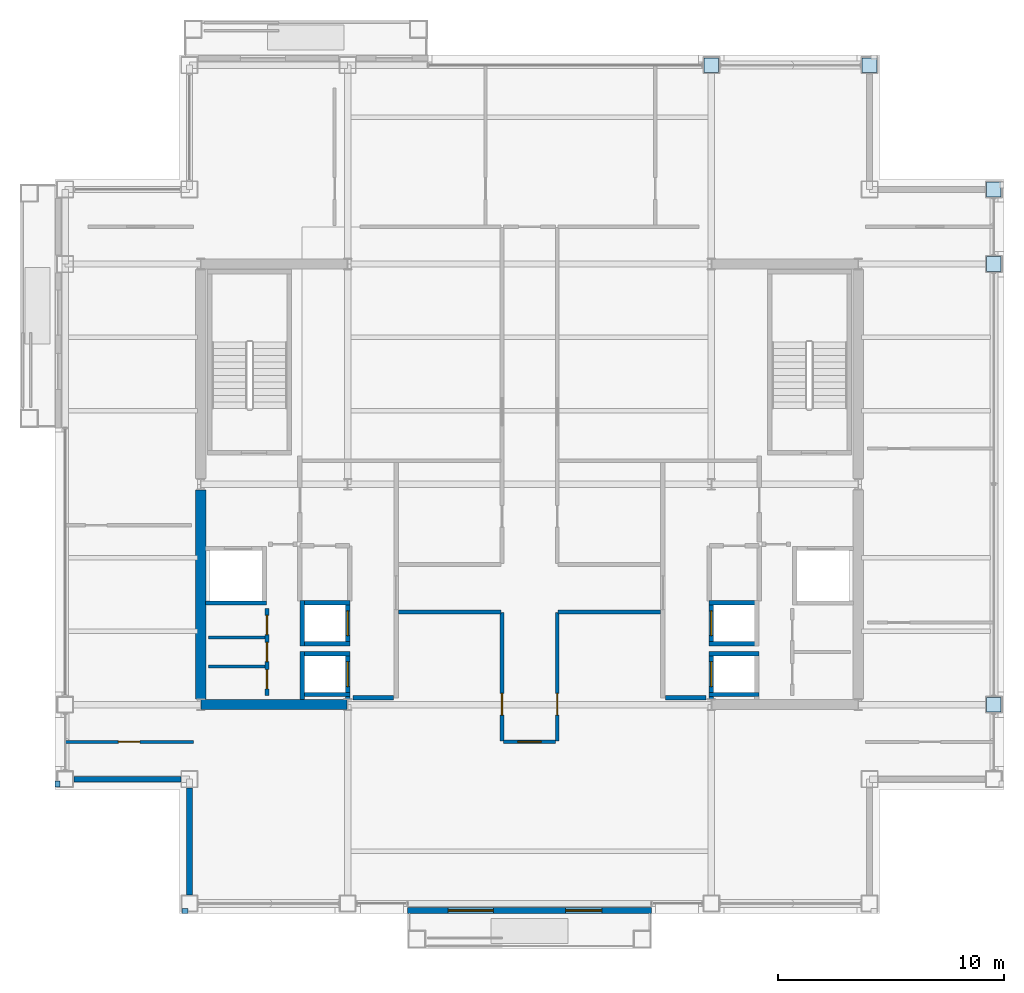
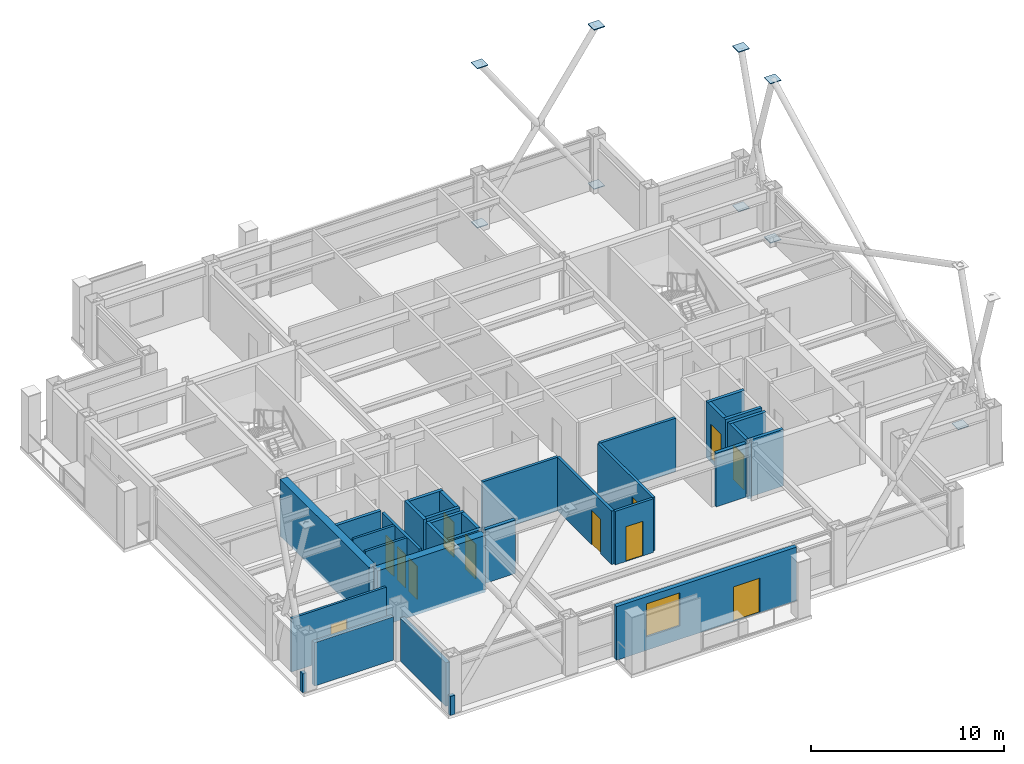
# One storey, part 25 of 30: 33 walls, 12 doors, 9 plates, 1 window, 13 openings.
"""IFC4 building model written with IfcOpenShell, lengths in metres."""

from ifc_helpers import new_model, si_unit, direction, frame, frame_2d, origin, origin_2d, place, context, subcontext, project, spatial, rectangle, extrude, material, layer, layer_set, type_object, element, fill, save


model = new_model("IFC4")

# Units and contexts
model_context = context("Model", 3, precision=1e-05, world=origin(), true_north=direction((0.0, 1.0)))
body_context = subcontext(model_context, "Body", "Model", "MODEL_VIEW")
ifc_project = project(units=[si_unit("LENGTHUNIT", "METRE"), si_unit("AREAUNIT", "SQUARE_METRE"), si_unit("VOLUMEUNIT", "CUBIC_METRE"), si_unit("PLANEANGLEUNIT", "RADIAN"), si_unit("MASSUNIT", "GRAM", prefix="KILO")], contexts=[model_context])

# Site, building, storey
site_placement = place(None, origin())
site = spatial("IfcSite", under=ifc_project, at=site_placement, CompositionType="ELEMENT")
building_placement = place(site_placement, origin())
building = spatial("IfcBuilding", under=site, at=building_placement, Name="Brelmoor Portico Tower", CompositionType="ELEMENT")
storey_placement = place(building_placement, frame((0.0, 0.0, 173.10009765625)))
storey = spatial("IfcBuildingStorey", under=building, at=storey_placement, Name="L45", CompositionType="ELEMENT", Elevation=173.10009765625)

# Plates
ifc_material_1 = material(Name="Steel Q355B", Category="steel")
ifc_layer_1 = layer(ifc_material_1, 0.044921875)
ifc_layer_set_1 = layer_set([ifc_layer_1], Name="Steel Q355B")
plate_type = type_object("IfcPlateType", Name="PT-CAP-650", PredefinedType="SHEET", material=ifc_layer_set_1)
for number, where, z_axis, x_axis, name in (
    (1, (8.050048828125, 18.550048828125, 0.2275390625), (0.0, 0.0, 1.0), (1.0, 0.0, 0.0), "L45 Continuous Mega-X Brace 100A Joint Cap Plate 1"),
    (2, (15.050048828125, 18.550048828125, 10.327392578125), (0.0, 0.0, 1.0), (1.0, 0.0, 0.0), "L45 Continuous Mega-X Brace 100A Joint Cap Plate 2"),
    (3, (15.050048828125, 18.550048828125, 0.2275390625), (0.0, 0.0, 1.0), (1.0, 0.0, 0.0), "L45 Split Mega-X Brace 100B1 Joint Cap Plate 1"),
    (4, (8.050048828125, 18.550048828125, 10.327392578125), (0.0, 0.0, 1.0), (1.0, 0.0, 0.0), "L45 Split Mega-X Brace 100B2 Joint Cap Plate 2"),
    (5, (20.550048828125, -9.75, 0.2275390625), (0.0, 0.0, 1.0), (1.0, 0.0, 0.0), "L45 Split Mega-X Brace 102B1 Joint Cap Plate 1"),
    (6, (20.550048828125, 9.75, 10.327392578125), (0.0, 0.0, 1.0), (1.0, 0.0, 0.0), "L45 Continuous Mega-X Brace 103A Joint Cap Plate 2"),
    (7, (20.550048828125, 9.75, 0.2275390625), (0.0, 0.0, 1.0), (1.0, 0.0, 0.0), "L45 Split Mega-X Brace 103B1 Joint Cap Plate 1"),
    (8, (20.550048828125, 13.050048828125, 10.327392578125), (0.0, 0.0, 1.0), (1.0, 0.0, 0.0), "L45 Continuous Mega-X Brace 104A Joint Cap Plate 2"),
    (9, (20.550048828125, 13.050048828125, 0.2275390625), (0.0, 0.0, 1.0), (1.0, 0.0, 0.0), "L45 Split Mega-X Brace 104B1 Joint Cap Plate 1"),
):
    element("IfcPlate", number, at=place(storey_placement, frame(where, z_axis=z_axis, x_axis=x_axis)), inside=storey, type_object=plate_type, Name=name, PredefinedType="SHEET", context=body_context, shape_type="SweptSolid", body=[
        extrude(rectangle(XDim=0.64990234375, YDim=0.64990234375, at=origin_2d()), origin(), (0.0, 0.0, 1.0), 0.044921875),
    ])

# Walls
ifc_material_2 = material(Name="Concrete C50", Category="concrete")
ifc_layer_2 = layer(ifc_material_2, 0.449951171875)
ifc_layer_set_2 = layer_set([ifc_layer_2], Name="Concrete C50")
wall_type_1 = type_object("IfcWallType", Name="WL-CORE-450", PredefinedType="SHEAR", material=ifc_layer_set_2)
wall_1_placement = place(storey_placement, frame((-14.530029296875, -9.75, -0.2001953125), z_axis=(0.0, 0.0, 1.0), x_axis=(1.0, 0.0, 0.0)))
element("IfcWall", 10, at=wall_1_placement, inside=storey, type_object=wall_type_1, Name="L45 WC South Shear Wall", PredefinedType="SHEAR", context=body_context, shape_type="SweptSolid", body=[
    extrude(rectangle(XDim=6.4599609375, YDim=0.449951171875, at=frame_2d((3.22998046875, 0.0))), origin(), (0.0, 0.0, 1.0), 3.60009765625),
])
wall_2_placement = place(storey_placement, frame((-14.550048828125, -9.5, -0.2001953125), z_axis=(0.0, 0.0, 1.0), x_axis=(0.0, 1.0, 0.0)))
element("IfcWall", 11, at=wall_2_placement, inside=storey, type_object=wall_type_1, Name="L45 WC Outer South Shear Wall", PredefinedType="SHEAR", context=body_context, shape_type="SweptSolid", body=[
    extrude(rectangle(XDim=9.25, YDim=0.449951171875, at=frame_2d((4.625, 0.0))), origin(), (0.0, 0.0, 1.0), 3.60009765625),
])

# Wall, openings, door, window
ifc_material_3 = material(Name="Precast Concrete C40 Insulated Facade Wall", Category="concrete")
ifc_layer_3 = layer(ifc_material_3, 0.25)
ifc_layer_set_3 = layer_set([ifc_layer_3], Name="Precast Concrete C40 Insulated Facade Wall")
wall_type_2 = type_object("IfcWallType", Name="WL-EXT-250", PredefinedType="STANDARD", material=ifc_layer_set_3)
wall_3_placement = place(storey_placement, frame((-5.39990234375, -18.860107421875, 0.0), z_axis=(0.0, 0.0, 1.0), x_axis=(1.0, 0.0, 0.0)))
wall_3 = element("IfcWall", 12, at=wall_3_placement, inside=storey, type_object=wall_type_2, Name="L45 Loggia Threshold Wall S-1", PredefinedType="STANDARD", context=body_context, shape_type="SweptSolid", body=[
    extrude(rectangle(XDim=10.7998046875, YDim=0.25, at=frame_2d((5.39990234375, 0.0))), origin(), (0.0, 0.0, 1.0), 3.39990234375),
])
opening_1_placement = place(wall_3_placement, frame((7.0, 0.0, 0.0)))
opening_1 = element("IfcOpeningElement", 13, at=opening_1_placement, cuts=wall_3, Name="Opening D-TB1", PredefinedType="OPENING", context=body_context, shape_type="SweptSolid", body=[
    extrude(rectangle(XDim=1.60009765625, YDim=2.199951171875, at=frame_2d((0.800048828125, 1.10009765625))), frame((0.0, 0.135009765625, 0.0), z_axis=(0.0, -1.0, 0.0), x_axis=(1.0, 0.0, 0.0)), (0.0, 0.0, 1.0), 0.27001953125),
])
opening_2_placement = place(wall_3_placement, frame((1.800048828125, 0.0, 0.85009765625)))
opening_2 = element("IfcOpeningElement", 14, at=opening_2_placement, cuts=wall_3, Name="Opening W-03", PredefinedType="OPENING", context=body_context, shape_type="SweptSolid", body=[
    extrude(rectangle(XDim=2.0, YDim=2.10009765625, at=frame_2d((1.0, 1.050048828125))), frame((0.0, 0.135009765625, 0.0), z_axis=(0.0, -1.0, 0.0), x_axis=(1.0, 0.0, 0.0)), (0.0, 0.0, 1.0), 0.27001953125),
])
ifc_material_4 = material(Name="Double-Leaf Thermally Broken Terrace Door", Category="aluminium")
door_type_1 = type_object("IfcDoorType", Name="DR-BALCONY-1600", OperationType="NOTDEFINED", PredefinedType="DOOR", material=ifc_material_4)
door_1_placement = place(opening_1_placement, origin())
door_1 = element("IfcDoor", 15, at=door_1_placement, inside=storey, type_object=door_type_1, Name="D-1935 L45 Tree Balcony Double Door S", OperationType="DOUBLE_DOOR_SINGLE_SWING", OverallHeight=2.199951171875, OverallWidth=1.60009765625, PredefinedType="DOOR", context=body_context, shape_type="SweptSolid", body=[
    extrude(rectangle(XDim=1.60009765625, YDim=2.199951171875, at=frame_2d((0.800048828125, 1.10009765625))), frame((0.0, 0.02490234375, 0.0), z_axis=(0.0, -1.0, 0.0), x_axis=(1.0, 0.0, 0.0)), (0.0, 0.0, 1.0), 0.050048828125),
])
fill(opening_1, door_1)
ifc_material_5 = material(Name="Thermally Broken Aluminium Low-E Window", Category="aluminium")
window_type = type_object("IfcWindowType", Name="WN-LOGGIA-2000x2100", PartitioningType="SINGLE_PANEL", PredefinedType="WINDOW", material=ifc_material_5)
window_placement = place(opening_2_placement, origin())
window = element("IfcWindow", 16, at=window_placement, inside=storey, type_object=window_type, Name="L45 Loggia Window S", OverallHeight=2.10009765625, OverallWidth=2.0, PartitioningType="SINGLE_PANEL", PredefinedType="WINDOW", context=body_context, shape_type="SweptSolid", body=[
    extrude(rectangle(XDim=2.0, YDim=2.10009765625, at=frame_2d((1.0, 1.050048828125))), frame((0.0, 0.030029296875, 0.0), z_axis=(0.0, -1.0, 0.0), x_axis=(1.0, 0.0, 0.0)), (0.0, 0.0, 1.0), 0.06005859375),
])
fill(opening_2, window)

# Walls
for number, where, z_axis, x_axis, name in (
    (17, (-20.1650390625, -13.050048828125, 0.0), (0.0, 0.0, 1.0), (1.0, 0.0, 0.0), "L45 Corner Notch Facade Wall NSWH1"),
    (18, (-15.050048828125, -18.1650390625, 0.0), (0.0, 0.0, 1.0), (0.0, 1.0, 0.0), "L45 Corner Notch Facade Wall NSWV1"),
):
    element("IfcWall", number, at=place(storey_placement, frame(where, z_axis=z_axis, x_axis=x_axis)), inside=storey, type_object=wall_type_2, Name=name, PredefinedType="STANDARD", context=body_context, shape_type="SweptSolid", body=[
        extrude(rectangle(XDim=4.72998046875, YDim=0.25, at=frame_2d((2.364990234375, 0.0))), origin(), (0.0, 0.0, 1.0), 2.75),
    ])
ifc_material_6 = material(Name="Concrete C40 Parapet Upstand", Category="concrete")
ifc_layer_4 = layer(ifc_material_6, 0.219970703125)
ifc_layer_set_4 = layer_set([ifc_layer_4], Name="Concrete C40 Parapet Upstand")
wall_type_3 = type_object("IfcWallType", Name="WL-PARAPET-220", PredefinedType="PARAPET", material=ifc_layer_set_4)
for number, where, z_axis, x_axis, name in (
    (19, (-15.389892578125, -18.889892578125, 0.0), (0.0, 0.0, 1.0), (1.0, 0.0, 0.0), "L45 Chamfer Vertex Parapet Pier SW1"),
    (20, (-20.889892578125, -13.389892578125, 0.0), (0.0, 0.0, 1.0), (0.0, 1.0, 0.0), "L45 Chamfer Vertex Parapet Pier SW2"),
):
    element("IfcWall", number, at=place(storey_placement, frame(where, z_axis=z_axis, x_axis=x_axis)), inside=storey, type_object=wall_type_3, Name=name, PredefinedType="PARAPET", context=body_context, shape_type="SweptSolid", body=[
        extrude(rectangle(XDim=0.269775390625, YDim=0.219970703125, at=frame_2d((0.134765625, 0.0))), origin(), (0.0, 0.0, 1.0), 1.199951171875),
    ])
ifc_material_7 = material(Name="Insulated Stud Suite Partition", Category="gypsum")
ifc_layer_5 = layer(ifc_material_7, 0.139892578125)
ifc_layer_set_5 = layer_set([ifc_layer_5], Name="Insulated Stud Suite Partition")
wall_type_4 = type_object("IfcWallType", Name="WL-PART-140", PredefinedType="PARTITIONING", material=ifc_layer_set_5)
for number, where, z_axis, x_axis, name in (
    (21, (-11.699951171875, -8.066650390625, 0.0), (0.0, 0.0, 1.0), (-1.0, 0.0, 0.0), "L45 W Core WC Divider 1"),
    (22, (-11.699951171875, -6.783203125, 0.0), (0.0, 0.0, 1.0), (-1.0, 0.0, 0.0), "L45 W Core WC Divider 2"),
):
    element("IfcWall", number, at=place(storey_placement, frame(where, z_axis=z_axis, x_axis=x_axis)), inside=storey, type_object=wall_type_4, Name=name, PredefinedType="PARTITIONING", context=body_context, shape_type="SweptSolid", body=[
        extrude(rectangle(XDim=2.5, YDim=0.139892578125, at=frame_2d((1.25, 0.0))), origin(), (0.0, 0.0, 1.0), 3.39990234375),
    ])

# Wall, opening, door
wall_4_placement = place(storey_placement, frame((-20.56005859375, -11.39990234375, 0.0), z_axis=(0.0, 0.0, 1.0), x_axis=(1.0, 0.0, 0.0)))
wall_4 = element("IfcWall", 23, at=wall_4_placement, inside=storey, type_object=wall_type_4, Name="L45 South Wing Closure WL", PredefinedType="PARTITIONING", context=body_context, shape_type="SweptSolid", body=[
    extrude(rectangle(XDim=5.68017578125, YDim=0.139892578125, at=frame_2d((2.840087890625, 0.0))), origin(), (0.0, 0.0, 1.0), 3.39990234375),
])
opening_3_placement = place(wall_4_placement, frame((2.360107421875, 0.0, 0.0)))
opening_3 = element("IfcOpeningElement", 24, at=opening_3_placement, cuts=wall_4, Name="Opening D-IN2", PredefinedType="OPENING", context=body_context, shape_type="SweptSolid", body=[
    extrude(rectangle(XDim=0.9599609375, YDim=2.179931640625, at=frame_2d((0.47998046875, 1.08984375))), frame((0.0, 0.079833984375, 0.0), z_axis=(0.0, -1.0, 0.0), x_axis=(1.0, 0.0, 0.0)), (0.0, 0.0, 1.0), 0.159912109375),
])
ifc_material_8 = material(Name="Lacquered Timber Suite Door", Category="wood")
door_type_2 = type_object("IfcDoorType", Name="DR-INT-950", OperationType="NOTDEFINED", PredefinedType="DOOR", material=ifc_material_8)
door_2_placement = place(opening_3_placement, origin())
door_2 = element("IfcDoor", 25, at=door_2_placement, inside=storey, type_object=door_type_2, Name="D-1933 L45 WL Wing South Suite Door", OperationType="SINGLE_SWING_LEFT", OverallHeight=2.179931640625, OverallWidth=0.9599609375, PredefinedType="DOOR", context=body_context, shape_type="SweptSolid", body=[
    extrude(rectangle(XDim=0.9599609375, YDim=2.179931640625, at=frame_2d((0.47998046875, 1.08984375))), frame((0.0, 0.02490234375, 0.0), z_axis=(0.0, -1.0, 0.0), x_axis=(1.0, 0.0, 0.0)), (0.0, 0.0, 1.0), 0.050048828125),
])
fill(opening_3, door_2)

# Wall, openings, doors
ifc_material_9 = material(Name="Twin-Frame Acoustic Partition", Category="gypsum")
ifc_layer_6 = layer(ifc_material_9, 0.159912109375)
ifc_layer_set_6 = layer_set([ifc_layer_6], Name="Twin-Frame Acoustic Partition")
wall_type_5 = type_object("IfcWallType", Name="WL-PART-160", PredefinedType="PARTITIONING", material=ifc_layer_set_6)
wall_5_placement = place(storey_placement, frame((-11.6201171875, -9.35009765625, 0.0), z_axis=(0.0, 0.0, 1.0), x_axis=(0.0, 1.0, 0.0)))
wall_5 = element("IfcWall", 26, at=wall_5_placement, inside=storey, type_object=wall_type_5, Name="L45 W Core Service Front Wall", PredefinedType="PARTITIONING", context=body_context, shape_type="SweptSolid", body=[
    extrude(rectangle(XDim=3.85009765625, YDim=0.159912109375, at=frame_2d((1.925048828125, 0.0))), origin(), (0.0, 0.0, 1.0), 3.39990234375),
])
opening_4_placement = place(wall_5_placement, frame((0.300048828125, 0.0, 0.0)))
opening_4 = element("IfcOpeningElement", 27, at=opening_4_placement, cuts=wall_5, Name="Opening D-WC1", PredefinedType="OPENING", context=body_context, shape_type="SweptSolid", body=[
    extrude(rectangle(XDim=0.85009765625, YDim=2.1201171875, at=frame_2d((0.425048828125, 1.06005859375))), frame((0.0, 0.08984375, 0.0), z_axis=(0.0, -1.0, 0.0), x_axis=(1.0, 0.0, 0.0)), (0.0, 0.0, 1.0), 0.179931640625),
])
opening_5_placement = place(wall_5_placement, frame((1.5, 0.0, 0.0)))
opening_5 = element("IfcOpeningElement", 28, at=opening_5_placement, cuts=wall_5, Name="Opening D-WC1", PredefinedType="OPENING", context=body_context, shape_type="SweptSolid", body=[
    extrude(rectangle(XDim=0.85009765625, YDim=2.1201171875, at=frame_2d((0.425048828125, 1.06005859375))), frame((0.0, 0.08984375, 0.0), z_axis=(0.0, -1.0, 0.0), x_axis=(1.0, 0.0, 0.0)), (0.0, 0.0, 1.0), 0.179931640625),
])
opening_6_placement = place(wall_5_placement, frame((2.699951171875, 0.0, 0.0)))
opening_6 = element("IfcOpeningElement", 29, at=opening_6_placement, cuts=wall_5, Name="Opening D-WC1", PredefinedType="OPENING", context=body_context, shape_type="SweptSolid", body=[
    extrude(rectangle(XDim=0.85009765625, YDim=2.1201171875, at=frame_2d((0.425048828125, 1.06005859375))), frame((0.0, 0.08984375, 0.0), z_axis=(0.0, -1.0, 0.0), x_axis=(1.0, 0.0, 0.0)), (0.0, 0.0, 1.0), 0.179931640625),
])
ifc_material_10 = material(Name="Moisture-Resistant Laminate WC Door", Category="timber")
door_type_3 = type_object("IfcDoorType", Name="DR-WC-850", OperationType="NOTDEFINED", PredefinedType="DOOR", material=ifc_material_10)
door_3_placement = place(opening_4_placement, origin())
door_3 = element("IfcDoor", 30, at=door_3_placement, inside=storey, type_object=door_type_3, Name="D-1914 L45 W Accessible WC Door", OperationType="SINGLE_SWING_RIGHT", OverallHeight=2.1201171875, OverallWidth=0.85009765625, PredefinedType="DOOR", context=body_context, shape_type="SweptSolid", body=[
    extrude(rectangle(XDim=0.85009765625, YDim=2.1201171875, at=frame_2d((0.425048828125, 1.06005859375))), frame((0.0, 0.02490234375, 0.0), z_axis=(0.0, -1.0, 0.0), x_axis=(1.0, 0.0, 0.0)), (0.0, 0.0, 1.0), 0.050048828125),
])
fill(opening_4, door_3)
door_4_placement = place(opening_5_placement, origin())
door_4 = element("IfcDoor", 31, at=door_4_placement, inside=storey, type_object=door_type_3, Name="D-1915 L45 W Staff WC Door", OperationType="SINGLE_SWING_LEFT", OverallHeight=2.1201171875, OverallWidth=0.85009765625, PredefinedType="DOOR", context=body_context, shape_type="SweptSolid", body=[
    extrude(rectangle(XDim=0.85009765625, YDim=2.1201171875, at=frame_2d((0.425048828125, 1.06005859375))), frame((0.0, 0.02490234375, 0.0), z_axis=(0.0, -1.0, 0.0), x_axis=(1.0, 0.0, 0.0)), (0.0, 0.0, 1.0), 0.050048828125),
])
fill(opening_5, door_4)
door_5_placement = place(opening_6_placement, origin())
door_5 = element("IfcDoor", 32, at=door_5_placement, inside=storey, type_object=door_type_3, Name="D-1916 L45 W Cleaner Store Door", OperationType="SINGLE_SWING_RIGHT", OverallHeight=2.1201171875, OverallWidth=0.85009765625, PredefinedType="DOOR", context=body_context, shape_type="SweptSolid", body=[
    extrude(rectangle(XDim=0.85009765625, YDim=2.1201171875, at=frame_2d((0.425048828125, 1.06005859375))), frame((0.0, 0.02490234375, 0.0), z_axis=(0.0, -1.0, 0.0), x_axis=(1.0, 0.0, 0.0)), (0.0, 0.0, 1.0), 0.050048828125),
])
fill(opening_6, door_5)

# Wall, opening, door
wall_6_placement = place(storey_placement, frame((-1.219970703125, -11.360107421875, 0.0), z_axis=(0.0, 0.0, 1.0), x_axis=(0.0, 1.0, 0.0)))
wall_6 = element("IfcWall", 33, at=wall_6_placement, inside=storey, type_object=wall_type_5, Name="L45 South Cross West Wall", PredefinedType="PARTITIONING", context=body_context, shape_type="SweptSolid", body=[
    extrude(rectangle(XDim=5.68017578125, YDim=0.159912109375, at=frame_2d((2.840087890625, 0.0))), origin(), (0.0, 0.0, 1.0), 3.39990234375),
])
opening_7_placement = place(wall_6_placement, frame((1.14990234375, 0.0, 0.0)))
opening_7 = element("IfcOpeningElement", 34, at=opening_7_placement, cuts=wall_6, Name="Opening D-IN2", PredefinedType="OPENING", context=body_context, shape_type="SweptSolid", body=[
    extrude(rectangle(XDim=0.9599609375, YDim=2.179931640625, at=frame_2d((0.47998046875, 1.08984375))), frame((0.0, 0.08984375, 0.0), z_axis=(0.0, -1.0, 0.0), x_axis=(1.0, 0.0, 0.0)), (0.0, 0.0, 1.0), 0.179931640625),
])
door_6_placement = place(opening_7_placement, origin())
door_6 = element("IfcDoor", 35, at=door_6_placement, inside=storey, type_object=door_type_2, Name="D-1907 L45 South-West Archive Room Door", OperationType="SINGLE_SWING_RIGHT", OverallHeight=2.179931640625, OverallWidth=0.9599609375, PredefinedType="DOOR", context=body_context, shape_type="SweptSolid", body=[
    extrude(rectangle(XDim=0.9599609375, YDim=2.179931640625, at=frame_2d((0.47998046875, 1.08984375))), frame((0.0, 0.02490234375, 0.0), z_axis=(0.0, -1.0, 0.0), x_axis=(1.0, 0.0, 0.0)), (0.0, 0.0, 1.0), 0.050048828125),
])
fill(opening_7, door_6)

wall_7_placement = place(storey_placement, frame((1.219970703125, -11.360107421875, 0.0), z_axis=(0.0, 0.0, 1.0), x_axis=(0.0, 1.0, 0.0)))
wall_7 = element("IfcWall", 36, at=wall_7_placement, inside=storey, type_object=wall_type_5, Name="L45 South Cross East Wall", PredefinedType="PARTITIONING", context=body_context, shape_type="SweptSolid", body=[
    extrude(rectangle(XDim=5.68017578125, YDim=0.159912109375, at=frame_2d((2.840087890625, 0.0))), origin(), (0.0, 0.0, 1.0), 3.39990234375),
])
opening_8_placement = place(wall_7_placement, frame((1.14990234375, 0.0, 0.0)))
opening_8 = element("IfcOpeningElement", 37, at=opening_8_placement, cuts=wall_7, Name="Opening D-IN2", PredefinedType="OPENING", context=body_context, shape_type="SweptSolid", body=[
    extrude(rectangle(XDim=0.9599609375, YDim=2.179931640625, at=frame_2d((0.47998046875, 1.08984375))), frame((0.0, 0.08984375, 0.0), z_axis=(0.0, -1.0, 0.0), x_axis=(1.0, 0.0, 0.0)), (0.0, 0.0, 1.0), 0.179931640625),
])
door_7_placement = place(opening_8_placement, origin())
door_7 = element("IfcDoor", 38, at=door_7_placement, inside=storey, type_object=door_type_2, Name="D-1906 L45 South-East Partner Office Door", OperationType="SINGLE_SWING_LEFT", OverallHeight=2.179931640625, OverallWidth=0.9599609375, PredefinedType="DOOR", context=body_context, shape_type="SweptSolid", body=[
    extrude(rectangle(XDim=0.9599609375, YDim=2.179931640625, at=frame_2d((0.47998046875, 1.08984375))), frame((0.0, 0.02490234375, 0.0), z_axis=(0.0, -1.0, 0.0), x_axis=(1.0, 0.0, 0.0)), (0.0, 0.0, 1.0), 0.050048828125),
])
fill(opening_8, door_7)

# Walls
for number, where, z_axis, x_axis, name in (
    (39, (-5.800048828125, -5.64990234375, 0.0), (0.0, 0.0, 1.0), (1.0, 0.0, 0.0), "L45 South-West Chamber Top Wall"),
    (40, (1.260009765625, -5.64990234375, 0.0), (0.0, 0.0, 1.0), (1.0, 0.0, 0.0), "L45 South-East Chamber Top Wall"),
):
    element("IfcWall", number, at=place(storey_placement, frame(where, z_axis=z_axis, x_axis=x_axis)), inside=storey, type_object=wall_type_5, Name=name, PredefinedType="PARTITIONING", context=body_context, shape_type="SweptSolid", body=[
        extrude(rectangle(XDim=4.5400390625, YDim=0.159912109375, at=frame_2d((2.27001953125, 0.0))), origin(), (0.0, 0.0, 1.0), 3.39990234375),
    ])

# Wall, opening, door
wall_8_placement = place(storey_placement, frame((-1.14990234375, -11.39990234375, 0.0), z_axis=(0.0, 0.0, 1.0), x_axis=(1.0, 0.0, 0.0)))
wall_8 = element("IfcWall", 41, at=wall_8_placement, inside=storey, type_object=wall_type_5, Name="L45 South Corridor Partition", PredefinedType="PARTITIONING", context=body_context, shape_type="SweptSolid", body=[
    extrude(rectangle(XDim=2.2998046875, YDim=0.159912109375, at=frame_2d((1.14990234375, 0.0))), origin(), (0.0, 0.0, 1.0), 3.39990234375),
])
opening_9_placement = place(wall_8_placement, frame((0.639892578125, 0.0, 0.0)))
opening_9 = element("IfcOpeningElement", 42, at=opening_9_placement, cuts=wall_8, Name="Opening D-OF1", PredefinedType="OPENING", context=body_context, shape_type="SweptSolid", body=[
    extrude(rectangle(XDim=1.02001953125, YDim=2.199951171875, at=frame_2d((0.510009765625, 1.10009765625))), frame((0.0, 0.08984375, 0.0), z_axis=(0.0, -1.0, 0.0), x_axis=(1.0, 0.0, 0.0)), (0.0, 0.0, 1.0), 0.179931640625),
])
ifc_material_11 = material(Name="Hardwood Acoustic Veneer Door", Category="wood")
door_type_4 = type_object("IfcDoorType", Name="DR-OFFICE-1000", OperationType="NOTDEFINED", PredefinedType="DOOR", material=ifc_material_11)
door_8_placement = place(opening_9_placement, origin())
door_8 = element("IfcDoor", 43, at=door_8_placement, inside=storey, type_object=door_type_4, Name="D-1929 L45 South Design Workshop 1 Door", OperationType="SINGLE_SWING_RIGHT", OverallHeight=2.199951171875, OverallWidth=1.02001953125, PredefinedType="DOOR", context=body_context, shape_type="SweptSolid", body=[
    extrude(rectangle(XDim=1.02001953125, YDim=2.199951171875, at=frame_2d((0.510009765625, 1.10009765625))), frame((0.0, 0.02490234375, 0.0), z_axis=(0.0, -1.0, 0.0), x_axis=(1.0, 0.0, 0.0)), (0.0, 0.0, 1.0), 0.050048828125),
])
fill(opening_9, door_8)

# Walls
ifc_material_12 = material(Name="Double-Stud Gypsum Fire Partition", Category="gypsum")
ifc_layer_7 = layer(ifc_material_12, 0.199951171875)
ifc_layer_set_7 = layer_set([ifc_layer_7], Name="Double-Stud Gypsum Fire Partition")
wall_type_6 = type_object("IfcWallType", Name="WL-PART-200", PredefinedType="PARTITIONING", material=ifc_layer_set_7)
for number, where, z_axis, x_axis, name in (
    (44, (-6.02001953125, -9.449951171875, 0.0), (0.0, 0.0, 1.0), (-1.0, 0.0, 0.0), "L45 W Lift Lobby South End Wall"),
    (45, (6.02001953125, -9.449951171875, 0.0), (0.0, 0.0, 1.0), (1.0, 0.0, 0.0), "L45 E Lift Lobby South End Wall"),
):
    element("IfcWall", number, at=place(storey_placement, frame(where, z_axis=z_axis, x_axis=x_axis)), inside=storey, type_object=wall_type_6, Name=name, PredefinedType="PARTITIONING", context=body_context, shape_type="SweptSolid", body=[
        extrude(rectangle(XDim=1.800048828125, YDim=0.199951171875, at=frame_2d((0.89990234375, 0.0))), origin(), (0.0, 0.0, 1.0), 3.39990234375),
    ])

# Wall, opening, door
ifc_material_13 = material(Name="Precast Concrete C40", Category="concrete")
ifc_layer_8 = layer(ifc_material_13, 0.18994140625)
ifc_layer_set_8 = layer_set([ifc_layer_8], Name="Precast Concrete C40")
wall_type_7 = type_object("IfcWallType", Name="WL-SHAFT-180", PredefinedType="SOLIDWALL", material=ifc_layer_set_8)
wall_9_placement = place(storey_placement, frame((-8.044921875, -9.52001953125, -0.2001953125), z_axis=(0.0, 0.0, 1.0), x_axis=(0.0, 1.0, 0.0)))
wall_9 = element("IfcWall", 46, at=wall_9_placement, inside=storey, type_object=wall_type_7, Name="L45 Lift PH1 Hoistway Front Wall", PredefinedType="SOLIDWALL", context=body_context, shape_type="SweptSolid", body=[
    extrude(rectangle(XDim=2.1201171875, YDim=0.18994140625, at=frame_2d((1.06005859375, 0.0))), origin(), (0.0, 0.0, 1.0), 3.60009765625),
])
opening_10_placement = place(wall_9_placement, frame((0.570068359375, 0.0, 0.199951171875)))
opening_10 = element("IfcOpeningElement", 47, at=opening_10_placement, cuts=wall_9, Name="Opening LD-01", PredefinedType="OPENING", context=body_context, shape_type="SweptSolid", body=[
    extrude(rectangle(XDim=1.10009765625, YDim=2.199951171875, at=frame_2d((0.550048828125, 1.10009765625))), frame((0.0, 0.10498046875, 0.0), z_axis=(0.0, -1.0, 0.0), x_axis=(1.0, 0.0, 0.0)), (0.0, 0.0, 1.0), 0.2099609375),
])
ifc_material_14 = material(Name="Brushed Stainless Steel Sliding Lift Door", Category="steel")
door_type_5 = type_object("IfcDoorType", Name="DR-LIFT-1100", OperationType="NOTDEFINED", PredefinedType="DOOR", material=ifc_material_14)
door_9_placement = place(opening_10_placement, origin())
door_9 = element("IfcDoor", 48, at=door_9_placement, inside=storey, type_object=door_type_5, Name="D-1942 L45 Lift PH1 Sliding Landing Door", OperationType="SLIDING_TO_LEFT", OverallHeight=2.199951171875, OverallWidth=1.10009765625, PredefinedType="DOOR", context=body_context, shape_type="SweptSolid", body=[
    extrude(rectangle(XDim=1.10009765625, YDim=2.199951171875, at=frame_2d((0.550048828125, 1.10009765625))), frame((0.0, 0.02490234375, 0.0), z_axis=(0.0, -1.0, 0.0), x_axis=(1.0, 0.0, 0.0)), (0.0, 0.0, 1.0), 0.050048828125),
])
fill(opening_10, door_9)

# Walls
wall_10_placement = place(storey_placement, frame((-10.054931640625, -9.52001953125, -0.2001953125), z_axis=(0.0, 0.0, 1.0), x_axis=(0.0, 1.0, 0.0)))
element("IfcWall", 49, at=wall_10_placement, inside=storey, type_object=wall_type_7, Name="L45 Lift PH1 Hoistway Back Wall", PredefinedType="SOLIDWALL", context=body_context, shape_type="SweptSolid", body=[
    extrude(rectangle(XDim=2.1201171875, YDim=0.18994140625, at=frame_2d((1.06005859375, 0.0))), origin(), (0.0, 0.0, 1.0), 3.60009765625),
])
for number, where, z_axis, x_axis, name in (
    (50, (-10.14990234375, -7.4951171875, -0.2001953125), (0.0, 0.0, 1.0), (1.0, 0.0, 0.0), "L45 Lift PH1 Hoistway North Wall"),
    (51, (-10.14990234375, -9.304931640625, -0.2001953125), (0.0, 0.0, 1.0), (1.0, 0.0, 0.0), "L45 Lift PH1 Hoistway South Wall"),
):
    element("IfcWall", number, at=place(storey_placement, frame(where, z_axis=z_axis, x_axis=x_axis)), inside=storey, type_object=wall_type_7, Name=name, PredefinedType="SOLIDWALL", context=body_context, shape_type="SweptSolid", body=[
        extrude(rectangle(XDim=2.199951171875, YDim=0.18994140625, at=frame_2d((1.10009765625, 0.0))), origin(), (0.0, 0.0, 1.0), 3.60009765625),
    ])

# Wall, opening, door
wall_11_placement = place(storey_placement, frame((-8.044921875, -7.14990234375, -0.2001953125), z_axis=(0.0, 0.0, 1.0), x_axis=(0.0, 1.0, 0.0)))
wall_11 = element("IfcWall", 52, at=wall_11_placement, inside=storey, type_object=wall_type_7, Name="L45 Lift PH2 Hoistway Front Wall", PredefinedType="SOLIDWALL", context=body_context, shape_type="SweptSolid", body=[
    extrude(rectangle(XDim=2.0, YDim=0.18994140625, at=frame_2d((1.0, 0.0))), origin(), (0.0, 0.0, 1.0), 3.60009765625),
])
opening_11_placement = place(wall_11_placement, frame((0.449951171875, 0.0, 0.199951171875)))
opening_11 = element("IfcOpeningElement", 53, at=opening_11_placement, cuts=wall_11, Name="Opening LD-01", PredefinedType="OPENING", context=body_context, shape_type="SweptSolid", body=[
    extrude(rectangle(XDim=1.10009765625, YDim=2.199951171875, at=frame_2d((0.550048828125, 1.10009765625))), frame((0.0, 0.10498046875, 0.0), z_axis=(0.0, -1.0, 0.0), x_axis=(1.0, 0.0, 0.0)), (0.0, 0.0, 1.0), 0.2099609375),
])
door_10_placement = place(opening_11_placement, origin())
door_10 = element("IfcDoor", 54, at=door_10_placement, inside=storey, type_object=door_type_5, Name="D-1943 L45 Lift PH2 Sliding Landing Door", OperationType="SLIDING_TO_LEFT", OverallHeight=2.199951171875, OverallWidth=1.10009765625, PredefinedType="DOOR", context=body_context, shape_type="SweptSolid", body=[
    extrude(rectangle(XDim=1.10009765625, YDim=2.199951171875, at=frame_2d((0.550048828125, 1.10009765625))), frame((0.0, 0.02490234375, 0.0), z_axis=(0.0, -1.0, 0.0), x_axis=(1.0, 0.0, 0.0)), (0.0, 0.0, 1.0), 0.050048828125),
])
fill(opening_11, door_10)

# Walls
wall_12_placement = place(storey_placement, frame((-10.054931640625, -7.14990234375, -0.2001953125), z_axis=(0.0, 0.0, 1.0), x_axis=(0.0, 1.0, 0.0)))
element("IfcWall", 55, at=wall_12_placement, inside=storey, type_object=wall_type_7, Name="L45 Lift PH2 Hoistway Back Wall", PredefinedType="SOLIDWALL", context=body_context, shape_type="SweptSolid", body=[
    extrude(rectangle(XDim=2.0, YDim=0.18994140625, at=frame_2d((1.0, 0.0))), origin(), (0.0, 0.0, 1.0), 3.60009765625),
])
for number, where, z_axis, x_axis, name in (
    (56, (-10.14990234375, -5.2451171875, -0.2001953125), (0.0, 0.0, 1.0), (1.0, 0.0, 0.0), "L45 Lift PH2 Hoistway North Wall"),
    (57, (-10.14990234375, -7.054931640625, -0.2001953125), (0.0, 0.0, 1.0), (1.0, 0.0, 0.0), "L45 Lift PH2 Hoistway South Wall"),
):
    element("IfcWall", number, at=place(storey_placement, frame(where, z_axis=z_axis, x_axis=x_axis)), inside=storey, type_object=wall_type_7, Name=name, PredefinedType="SOLIDWALL", context=body_context, shape_type="SweptSolid", body=[
        extrude(rectangle(XDim=2.199951171875, YDim=0.18994140625, at=frame_2d((1.10009765625, 0.0))), origin(), (0.0, 0.0, 1.0), 3.60009765625),
    ])

# Wall, opening, door
wall_13_placement = place(storey_placement, frame((8.044921875, -9.52001953125, -0.2001953125), z_axis=(0.0, 0.0, 1.0), x_axis=(0.0, 1.0, 0.0)))
wall_13 = element("IfcWall", 58, at=wall_13_placement, inside=storey, type_object=wall_type_7, Name="L45 Lift PH3 Hoistway Front Wall", PredefinedType="SOLIDWALL", context=body_context, shape_type="SweptSolid", body=[
    extrude(rectangle(XDim=2.1201171875, YDim=0.18994140625, at=frame_2d((1.06005859375, 0.0))), origin(), (0.0, 0.0, 1.0), 3.60009765625),
])
opening_12_placement = place(wall_13_placement, frame((0.570068359375, 0.0, 0.199951171875)))
opening_12 = element("IfcOpeningElement", 59, at=opening_12_placement, cuts=wall_13, Name="Opening LD-01", PredefinedType="OPENING", context=body_context, shape_type="SweptSolid", body=[
    extrude(rectangle(XDim=1.10009765625, YDim=2.199951171875, at=frame_2d((0.550048828125, 1.10009765625))), frame((0.0, 0.10498046875, 0.0), z_axis=(0.0, -1.0, 0.0), x_axis=(1.0, 0.0, 0.0)), (0.0, 0.0, 1.0), 0.2099609375),
])
door_11_placement = place(opening_12_placement, origin())
door_11 = element("IfcDoor", 60, at=door_11_placement, inside=storey, type_object=door_type_5, Name="D-1944 L45 Lift PH3 Sliding Landing Door", OperationType="SLIDING_TO_LEFT", OverallHeight=2.199951171875, OverallWidth=1.10009765625, PredefinedType="DOOR", context=body_context, shape_type="SweptSolid", body=[
    extrude(rectangle(XDim=1.10009765625, YDim=2.199951171875, at=frame_2d((0.550048828125, 1.10009765625))), frame((0.0, 0.02490234375, 0.0), z_axis=(0.0, -1.0, 0.0), x_axis=(1.0, 0.0, 0.0)), (0.0, 0.0, 1.0), 0.050048828125),
])
fill(opening_12, door_11)

# Walls
for number, where, z_axis, x_axis, name in (
    (61, (7.949951171875, -7.4951171875, -0.2001953125), (0.0, 0.0, 1.0), (1.0, 0.0, 0.0), "L45 Lift PH3 Hoistway North Wall"),
    (62, (7.949951171875, -9.304931640625, -0.2001953125), (0.0, 0.0, 1.0), (1.0, 0.0, 0.0), "L45 Lift PH3 Hoistway South Wall"),
):
    element("IfcWall", number, at=place(storey_placement, frame(where, z_axis=z_axis, x_axis=x_axis)), inside=storey, type_object=wall_type_7, Name=name, PredefinedType="SOLIDWALL", context=body_context, shape_type="SweptSolid", body=[
        extrude(rectangle(XDim=2.199951171875, YDim=0.18994140625, at=frame_2d((1.10009765625, 0.0))), origin(), (0.0, 0.0, 1.0), 3.60009765625),
    ])

# Wall, opening, door
wall_14_placement = place(storey_placement, frame((8.044921875, -7.14990234375, -0.2001953125), z_axis=(0.0, 0.0, 1.0), x_axis=(0.0, 1.0, 0.0)))
wall_14 = element("IfcWall", 63, at=wall_14_placement, inside=storey, type_object=wall_type_7, Name="L45 Lift PH4 Hoistway Front Wall", PredefinedType="SOLIDWALL", context=body_context, shape_type="SweptSolid", body=[
    extrude(rectangle(XDim=2.0, YDim=0.18994140625, at=frame_2d((1.0, 0.0))), origin(), (0.0, 0.0, 1.0), 3.60009765625),
])
opening_13_placement = place(wall_14_placement, frame((0.449951171875, 0.0, 0.199951171875)))
opening_13 = element("IfcOpeningElement", 64, at=opening_13_placement, cuts=wall_14, Name="Opening LD-01", PredefinedType="OPENING", context=body_context, shape_type="SweptSolid", body=[
    extrude(rectangle(XDim=1.10009765625, YDim=2.199951171875, at=frame_2d((0.550048828125, 1.10009765625))), frame((0.0, 0.10498046875, 0.0), z_axis=(0.0, -1.0, 0.0), x_axis=(1.0, 0.0, 0.0)), (0.0, 0.0, 1.0), 0.2099609375),
])
door_12_placement = place(opening_13_placement, origin())
door_12 = element("IfcDoor", 65, at=door_12_placement, inside=storey, type_object=door_type_5, Name="D-1945 L45 Lift PH4 Sliding Landing Door", OperationType="SLIDING_TO_LEFT", OverallHeight=2.199951171875, OverallWidth=1.10009765625, PredefinedType="DOOR", context=body_context, shape_type="SweptSolid", body=[
    extrude(rectangle(XDim=1.10009765625, YDim=2.199951171875, at=frame_2d((0.550048828125, 1.10009765625))), frame((0.0, 0.02490234375, 0.0), z_axis=(0.0, -1.0, 0.0), x_axis=(1.0, 0.0, 0.0)), (0.0, 0.0, 1.0), 0.050048828125),
])
fill(opening_13, door_12)

# Walls
for number, where, z_axis, x_axis, name in (
    (66, (7.949951171875, -5.2451171875, -0.2001953125), (0.0, 0.0, 1.0), (1.0, 0.0, 0.0), "L45 Lift PH4 Hoistway North Wall"),
    (67, (7.949951171875, -7.054931640625, -0.2001953125), (0.0, 0.0, 1.0), (1.0, 0.0, 0.0), "L45 Lift PH4 Hoistway South Wall"),
):
    element("IfcWall", number, at=place(storey_placement, frame(where, z_axis=z_axis, x_axis=x_axis)), inside=storey, type_object=wall_type_7, Name=name, PredefinedType="SOLIDWALL", context=body_context, shape_type="SweptSolid", body=[
        extrude(rectangle(XDim=2.199951171875, YDim=0.18994140625, at=frame_2d((1.10009765625, 0.0))), origin(), (0.0, 0.0, 1.0), 3.60009765625),
    ])
wall_15_placement = place(storey_placement, frame((-14.330078125, -5.2548828125, -0.2001953125), z_axis=(0.0, 0.0, 1.0), x_axis=(1.0, 0.0, 0.0)))
element("IfcWall", 68, at=wall_15_placement, inside=storey, type_object=wall_type_7, Name="L45 Firefighting Lift FF1 South Wall", PredefinedType="SOLIDWALL", context=body_context, shape_type="SweptSolid", body=[
    extrude(rectangle(XDim=2.68017578125, YDim=0.18994140625, at=frame_2d((1.340087890625, 0.0))), origin(), (0.0, 0.0, 1.0), 3.60009765625),
])

save(model, "model.ifc")
